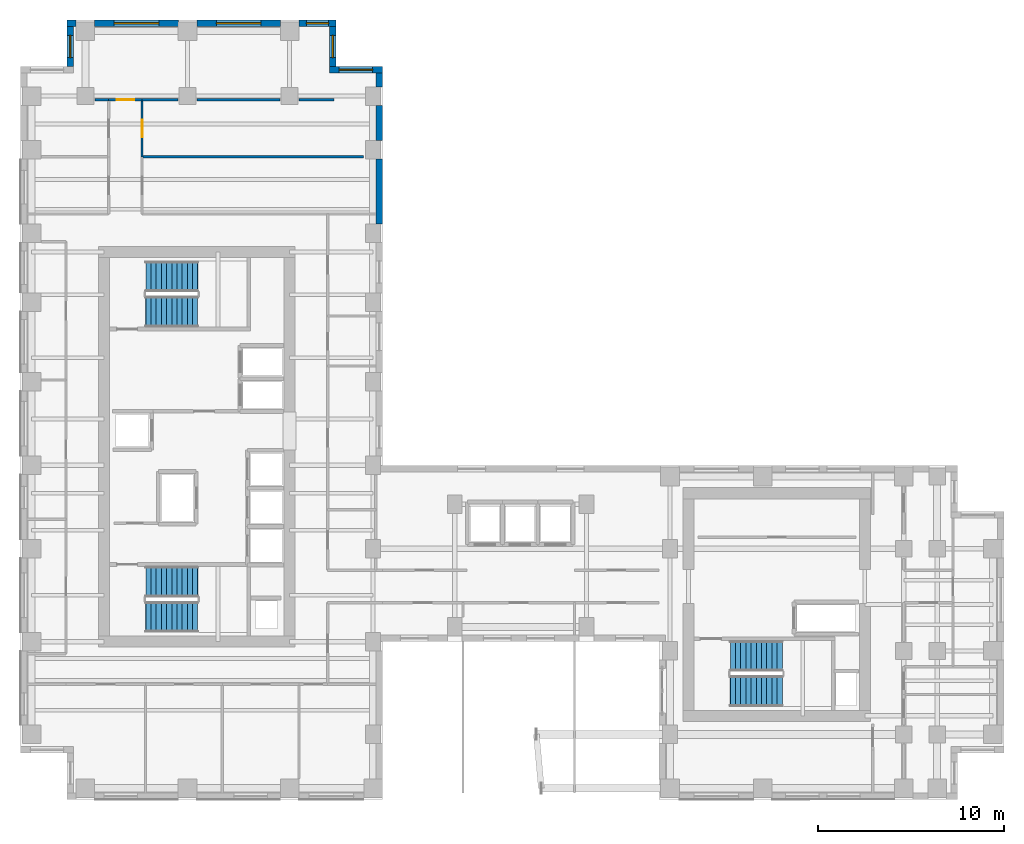
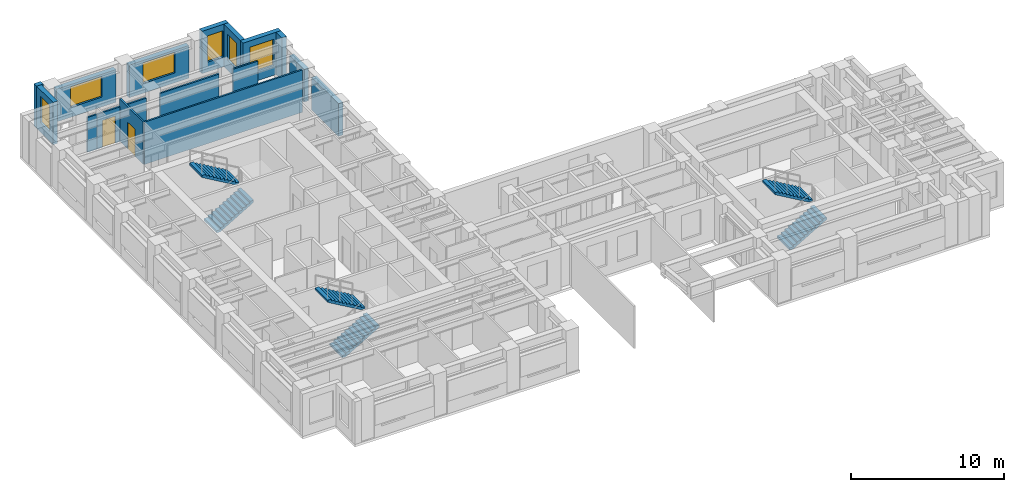
# One storey, part 11 of 13: 17 walls, 6 stair flights, 6 windows, 2 doors, 8 openings, 3 elements without a shape of their own.
"""IFC4 building model written with IfcOpenShell, lengths in metres."""

from ifc_helpers import new_model, si_unit, direction, frame, frame_2d, origin, place, context, subcontext, project, spatial, polyline, rectangle, outline, extrude, source, transform, mapped, material, layer, layer_set, type_object, element, fill, aggregate, save


model = new_model("IFC4")

# Units and contexts
model_context = context("Model", 3, precision=1e-05, world=origin(), true_north=direction((0.0, 1.0)))
body_context = subcontext(model_context, "Body", "Model", "MODEL_VIEW")
ifc_project = project(units=[si_unit("LENGTHUNIT", "METRE"), si_unit("AREAUNIT", "SQUARE_METRE"), si_unit("VOLUMEUNIT", "CUBIC_METRE"), si_unit("PLANEANGLEUNIT", "RADIAN"), si_unit("MASSUNIT", "GRAM", prefix="KILO")], contexts=[model_context])

# Site, building, storey
site_placement = place(None, origin())
site = spatial("IfcSite", under=ifc_project, at=site_placement, CompositionType="ELEMENT")
building_placement = place(site_placement, origin())
building = spatial("IfcBuilding", under=site, at=building_placement, Name="Kharzan Plaza Tower", CompositionType="ELEMENT")
storey_placement = place(building_placement, frame((0.0, 0.0, 189.89990234375)))
storey = spatial("IfcBuildingStorey", under=building, at=storey_placement, Name="L51", CompositionType="ELEMENT", Elevation=189.89990234375)

# Wall, opening, window
ifc_material_1 = material(Name="Concrete C40/50", Category="concrete")
ifc_layer_1 = layer(ifc_material_1, 0.35009765625)
ifc_layer_set_1 = layer_set([ifc_layer_1], Name="Concrete C40/50")
wall_type_1 = type_object("IfcWallType", Name="WL-EXT-MAS-Z3", PredefinedType="SOLIDWALL", material=ifc_layer_set_1)
wall_1_placement = place(storey_placement, frame((19.5, 39.324951171875, 0.0), z_axis=(0.0, 0.0, 1.0), x_axis=(-1.0, 0.0, 0.0)))
wall_1 = element("IfcWall", 1, at=wall_1_placement, inside=storey, type_object=wall_type_1, Name="L51 Masonry-Frame Exterior Wall 01", PredefinedType="SOLIDWALL", context=body_context, shape_type="SweptSolid", body=[
    extrude(rectangle(XDim=2.85009765625, YDim=0.35009765625, at=frame_2d((1.425048828125, 0.0))), origin(), (0.0, 0.0, 1.0), 3.385009765625),
])
opening_1_placement = place(wall_1_placement, frame((0.52490234375, 0.0, 0.780029296875)))
opening_1 = element("IfcOpeningElement", 2, at=opening_1_placement, cuts=wall_1, Name="Opening W1", PredefinedType="OPENING", context=body_context, shape_type="SweptSolid", body=[
    extrude(rectangle(XDim=1.800048828125, YDim=2.10009765625, at=frame_2d((0.89990234375, 1.050048828125))), frame((0.0, 0.18505859375, 0.0), z_axis=(0.0, -1.0, 0.0), x_axis=(1.0, 0.0, 0.0)), (0.0, 0.0, 1.0), 0.3701171875),
])
ifc_material_2 = material(Name="Low-E Double Glazing", Category="glass")
window_type_1 = type_object("IfcWindowType", Name="WN-REC-1800x2100", PartitioningType="SINGLE_PANEL", PredefinedType="WINDOW", material=ifc_material_2)
shared_shape_1 = source(origin(), body_context, "Body", "SweptSolid", [
    extrude(rectangle(XDim=1.800048828125, YDim=2.10009765625, at=frame_2d((0.89990234375, 1.050048828125))), frame((0.0, 0.030029296875, 0.0), z_axis=(0.0, -1.0, 0.0), x_axis=(1.0, 0.0, 0.0)), (0.0, 0.0, 1.0), 0.06005859375),
])
window_1_placement = place(opening_1_placement, origin())
window_1 = element("IfcWindow", 3, at=window_1_placement, inside=storey, type_object=window_type_1, Name="L51 Recessed Solar-Control Window 01-1", OverallHeight=2.10009765625, OverallWidth=1.800048828125, PartitioningType="SINGLE_PANEL", PredefinedType="WINDOW", context=body_context, shape_type="MappedRepresentation", body=[
    mapped(shared_shape_1, transform((0.0, 0.0, 0.0), x_axis=(1.0, 0.0, 0.0), y_axis=(0.0, 1.0, 0.0), z_axis=(0.0, 0.0, 1.0))),
])
fill(opening_1, window_1)

wall_2_placement = place(storey_placement, frame((16.824951171875, 39.498046875, 0.0), z_axis=(0.0, 0.0, 1.0), x_axis=(0.0, 1.0, 0.0)))
wall_2 = element("IfcWall", 4, at=wall_2_placement, inside=storey, type_object=wall_type_1, Name="L51 Masonry-Frame Exterior Wall 02", PredefinedType="SOLIDWALL", context=body_context, shape_type="SweptSolid", body=[
    extrude(rectangle(XDim=2.154052734375, YDim=0.35009765625, at=frame_2d((1.0771484375, 0.0))), origin(), (0.0, 0.0, 1.0), 3.385009765625),
])
opening_2_placement = place(wall_2_placement, frame((0.47705078125, 0.0, 0.780029296875)))
opening_2 = element("IfcOpeningElement", 5, at=opening_2_placement, cuts=wall_2, Name="Opening W3", PredefinedType="OPENING", context=body_context, shape_type="SweptSolid", body=[
    extrude(rectangle(XDim=1.199951171875, YDim=2.10009765625, at=frame_2d((0.60009765625, 1.050048828125))), frame((0.0, 0.18505859375, 0.0), z_axis=(0.0, -1.0, 0.0), x_axis=(1.0, 0.0, 0.0)), (0.0, 0.0, 1.0), 0.3701171875),
])
window_type_2 = type_object("IfcWindowType", Name="WN-REC-1200x2100", PartitioningType="SINGLE_PANEL", PredefinedType="WINDOW", material=ifc_material_2)
shared_shape_2 = source(origin(), body_context, "Body", "SweptSolid", [
    extrude(rectangle(XDim=1.199951171875, YDim=2.10009765625, at=frame_2d((0.60009765625, 1.050048828125))), frame((0.0, 0.030029296875, 0.0), z_axis=(0.0, -1.0, 0.0), x_axis=(1.0, 0.0, 0.0)), (0.0, 0.0, 1.0), 0.06005859375),
])
window_2_placement = place(opening_2_placement, origin())
window_2 = element("IfcWindow", 6, at=window_2_placement, inside=storey, type_object=window_type_2, Name="L51 Recessed Solar-Control Window 02-1", OverallHeight=2.10009765625, OverallWidth=1.199951171875, PartitioningType="SINGLE_PANEL", PredefinedType="WINDOW", context=body_context, shape_type="MappedRepresentation", body=[
    mapped(shared_shape_2, transform((0.0, 0.0, 0.0), x_axis=(1.0, 0.0, 0.0), y_axis=(0.0, 1.0, 0.0), z_axis=(0.0, 0.0, 1.0))),
])
fill(opening_2, window_2)

wall_3_placement = place(storey_placement, frame((17.0, 41.824951171875, 0.0), z_axis=(0.0, 0.0, 1.0), x_axis=(-1.0, 0.0, 0.0)))
wall_3 = element("IfcWall", 7, at=wall_3_placement, inside=storey, type_object=wall_type_1, Name="L51 Masonry-Frame Exterior Wall 03", PredefinedType="SOLIDWALL", context=body_context, shape_type="SweptSolid", body=[
    extrude(rectangle(XDim=2.001953125, YDim=0.35009765625, at=frame_2d((1.0009765625, 0.0))), origin(), (0.0, 0.0, 1.0), 3.385009765625),
])
opening_3_placement = place(wall_3_placement, frame((0.40087890625, 0.0, 0.780029296875)))
opening_3 = element("IfcOpeningElement", 8, at=opening_3_placement, cuts=wall_3, Name="Opening W3", PredefinedType="OPENING", context=body_context, shape_type="SweptSolid", body=[
    extrude(rectangle(XDim=1.199951171875, YDim=2.10009765625, at=frame_2d((0.60009765625, 1.050048828125))), frame((0.0, 0.18505859375, 0.0), z_axis=(0.0, -1.0, 0.0), x_axis=(1.0, 0.0, 0.0)), (0.0, 0.0, 1.0), 0.3701171875),
])
window_3_placement = place(opening_3_placement, origin())
window_3 = element("IfcWindow", 9, at=window_3_placement, inside=storey, type_object=window_type_2, Name="L51 Recessed Solar-Control Window 03-1", OverallHeight=2.10009765625, OverallWidth=1.199951171875, PartitioningType="SINGLE_PANEL", PredefinedType="WINDOW", context=body_context, shape_type="MappedRepresentation", body=[
    mapped(shared_shape_2, transform((0.0, 0.0, 0.0), x_axis=(1.0, 0.0, 0.0), y_axis=(0.0, 1.0, 0.0), z_axis=(0.0, 0.0, 1.0))),
])
fill(opening_3, window_3)

wall_4_placement = place(storey_placement, frame((14.001953125, 41.824951171875, 0.0), z_axis=(0.0, 0.0, 1.0), x_axis=(-1.0, 0.0, 0.0)))
wall_4 = element("IfcWall", 10, at=wall_4_placement, inside=storey, type_object=wall_type_1, Name="L51 Masonry-Frame Exterior Wall 04", PredefinedType="SOLIDWALL", context=body_context, shape_type="SweptSolid", body=[
    extrude(rectangle(XDim=4.50390625, YDim=0.35009765625, at=frame_2d((2.251953125, 0.0))), origin(), (0.0, 0.0, 1.0), 2.612060546875),
])
opening_4_placement = place(wall_4_placement, frame((1.052001953125, 0.0, 0.780029296875)))
opening_4 = element("IfcOpeningElement", 11, at=opening_4_placement, cuts=wall_4, Name="Opening W2", PredefinedType="OPENING", context=body_context, shape_type="SweptSolid", body=[
    extrude(rectangle(XDim=2.39990234375, YDim=1.652099609375, at=frame_2d((1.199951171875, 0.826171875))), frame((0.0, 0.18505859375, 0.0), z_axis=(0.0, -1.0, 0.0), x_axis=(1.0, 0.0, 0.0)), (0.0, 0.0, 1.0), 0.3701171875),
])
window_type_3 = type_object("IfcWindowType", Name="WN-REC-2400x2100", PartitioningType="SINGLE_PANEL", PredefinedType="WINDOW", material=ifc_material_2)
shared_shape_3 = source(origin(), body_context, "Body", "SweptSolid", [
    extrude(rectangle(XDim=2.39990234375, YDim=1.652099609375, at=frame_2d((1.199951171875, 0.826171875))), frame((0.0, 0.030029296875, 0.0), z_axis=(0.0, -1.0, 0.0), x_axis=(1.0, 0.0, 0.0)), (0.0, 0.0, 1.0), 0.06005859375),
])
window_4_placement = place(opening_4_placement, origin())
window_4 = element("IfcWindow", 12, at=window_4_placement, inside=storey, type_object=window_type_3, Name="L51 Wide Recessed Solar-Control Window 04-1", OverallHeight=1.652099609375, OverallWidth=2.39990234375, PartitioningType="SINGLE_PANEL", PredefinedType="WINDOW", context=body_context, shape_type="MappedRepresentation", body=[
    mapped(shared_shape_3, transform((0.0, 0.0, 0.0), x_axis=(1.0, 0.0, 0.0), y_axis=(0.0, 1.0, 0.0), z_axis=(0.0, 0.0, 1.0))),
])
fill(opening_4, window_4)

wall_5_placement = place(storey_placement, frame((8.501953125, 41.824951171875, 0.0), z_axis=(0.0, 0.0, 1.0), x_axis=(-1.0, 0.0, 0.0)))
wall_5 = element("IfcWall", 13, at=wall_5_placement, inside=storey, type_object=wall_type_1, Name="L51 Masonry-Frame Exterior Wall 05", PredefinedType="SOLIDWALL", context=body_context, shape_type="SweptSolid", body=[
    extrude(rectangle(XDim=4.50390625, YDim=0.35009765625, at=frame_2d((2.251953125, 0.0))), origin(), (0.0, 0.0, 1.0), 2.612060546875),
])
opening_5_placement = place(wall_5_placement, frame((1.052001953125, 0.0, 0.780029296875)))
opening_5 = element("IfcOpeningElement", 14, at=opening_5_placement, cuts=wall_5, Name="Opening W2", PredefinedType="OPENING", context=body_context, shape_type="SweptSolid", body=[
    extrude(rectangle(XDim=2.39990234375, YDim=1.652099609375, at=frame_2d((1.199951171875, 0.826171875))), frame((0.0, 0.18505859375, 0.0), z_axis=(0.0, -1.0, 0.0), x_axis=(1.0, 0.0, 0.0)), (0.0, 0.0, 1.0), 0.3701171875),
])
window_5_placement = place(opening_5_placement, origin())
window_5 = element("IfcWindow", 15, at=window_5_placement, inside=storey, type_object=window_type_3, Name="L51 Wide Recessed Solar-Control Window 05-1", OverallHeight=1.652099609375, OverallWidth=2.39990234375, PartitioningType="SINGLE_PANEL", PredefinedType="WINDOW", context=body_context, shape_type="MappedRepresentation", body=[
    mapped(shared_shape_3, transform((0.0, 0.0, 0.0), x_axis=(1.0, 0.0, 0.0), y_axis=(0.0, 1.0, 0.0), z_axis=(0.0, 0.0, 1.0))),
])
fill(opening_5, window_5)

wall_6_placement = place(storey_placement, frame((2.675048828125, 41.652099609375, 0.0), z_axis=(0.0, 0.0, 1.0), x_axis=(0.0, -1.0, 0.0)))
wall_6 = element("IfcWall", 16, at=wall_6_placement, inside=storey, type_object=wall_type_1, Name="L51 Masonry-Frame Exterior Wall 07", PredefinedType="SOLIDWALL", context=body_context, shape_type="SweptSolid", body=[
    extrude(rectangle(XDim=2.154052734375, YDim=0.35009765625, at=frame_2d((1.0771484375, 0.0))), origin(), (0.0, 0.0, 1.0), 3.385009765625),
])
opening_6_placement = place(wall_6_placement, frame((0.47705078125, 0.0, 0.780029296875)))
opening_6 = element("IfcOpeningElement", 17, at=opening_6_placement, cuts=wall_6, Name="Opening W3", PredefinedType="OPENING", context=body_context, shape_type="SweptSolid", body=[
    extrude(rectangle(XDim=1.199951171875, YDim=2.10009765625, at=frame_2d((0.60009765625, 1.050048828125))), frame((0.0, 0.18505859375, 0.0), z_axis=(0.0, -1.0, 0.0), x_axis=(1.0, 0.0, 0.0)), (0.0, 0.0, 1.0), 0.3701171875),
])
window_6_placement = place(opening_6_placement, origin())
window_6 = element("IfcWindow", 18, at=window_6_placement, inside=storey, type_object=window_type_2, Name="L51 Recessed Solar-Control Window 07-1", OverallHeight=2.10009765625, OverallWidth=1.199951171875, PartitioningType="SINGLE_PANEL", PredefinedType="WINDOW", context=body_context, shape_type="MappedRepresentation", body=[
    mapped(shared_shape_2, transform((0.0, 0.0, 0.0), x_axis=(1.0, 0.0, 0.0), y_axis=(0.0, 1.0, 0.0), z_axis=(0.0, 0.0, 1.0))),
])
fill(opening_6, window_6)

# Wall, opening, door
ifc_material_3 = material(Name="Fire-Rated Gypsum Board Partition", Category="gypsum")
ifc_layer_2 = layer(ifc_material_3, 0.125)
ifc_layer_set_2 = layer_set([ifc_layer_2], Name="Fire-Rated Gypsum Board Partition")
wall_type_2 = type_object("IfcWallType", Name="WL-INT-PART-125", PredefinedType="PARTITIONING", material=ifc_layer_set_2)
wall_7_placement = place(storey_placement, frame((6.550048828125, 34.625, 0.0), z_axis=(0.0, 0.0, 1.0), x_axis=(0.0, 1.0, 0.0)))
wall_7 = element("IfcWall", 19, at=wall_7_placement, inside=storey, type_object=wall_type_2, Name="L51 Interior Partition SH-SPE-2", PredefinedType="PARTITIONING", context=body_context, shape_type="SweptSolid", body=[
    extrude(rectangle(XDim=3.074951171875, YDim=0.125, at=frame_2d((1.53759765625, 0.0))), origin(), (0.0, 0.0, 1.0), 3.385009765625),
])
opening_7_placement = place(wall_7_placement, frame((1.0625, 0.0, 0.0)))
opening_7 = element("IfcOpeningElement", 20, at=opening_7_placement, cuts=wall_7, Name="Opening OD1", PredefinedType="OPENING", context=body_context, shape_type="SweptSolid", body=[
    extrude(rectangle(XDim=0.949951171875, YDim=2.14990234375, at=frame_2d((0.47509765625, 1.074951171875))), frame((0.0, 0.072509765625, 0.0), z_axis=(0.0, -1.0, 0.0), x_axis=(1.0, 0.0, 0.0)), (0.0, 0.0, 1.0), 0.14501953125),
])
ifc_material_4 = material(Name="Acoustic Solid-Core Stained Oak", Category="timber")
door_type = type_object("IfcDoorType", Name="DR-OFF-SINGLE", OperationType="NOTDEFINED", PredefinedType="DOOR", material=ifc_material_4)
shared_shape_4 = source(origin(), body_context, "Body", "SweptSolid", [
    extrude(rectangle(XDim=0.949951171875, YDim=2.14990234375, at=frame_2d((0.47509765625, 1.074951171875))), frame((0.0, 0.02490234375, 0.0), z_axis=(0.0, -1.0, 0.0), x_axis=(1.0, 0.0, 0.0)), (0.0, 0.0, 1.0), 0.050048828125),
])
door_1_placement = place(opening_7_placement, origin())
door_1 = element("IfcDoor", 21, at=door_1_placement, inside=storey, type_object=door_type, Name="L51 Departmental Office Door", OperationType="SINGLE_SWING_RIGHT", OverallHeight=2.14990234375, OverallWidth=0.949951171875, PredefinedType="DOOR", context=body_context, shape_type="MappedRepresentation", body=[
    mapped(shared_shape_4, transform((0.0, 0.0, 0.0), x_axis=(1.0, 0.0, 0.0), y_axis=(0.0, 1.0, 0.0), z_axis=(0.0, 0.0, 1.0))),
])
fill(opening_7, door_1)

wall_8_placement = place(storey_placement, frame((4.75, 37.699951171875, 0.0), z_axis=(0.0, 0.0, 1.0), x_axis=(1.0, 0.0, 0.0)))
wall_8 = element("IfcWall", 22, at=wall_8_placement, inside=storey, type_object=wall_type_2, Name="L51 Interior Partition SH-SPHD", PredefinedType="PARTITIONING", context=body_context, shape_type="SweptSolid", body=[
    extrude(rectangle(XDim=1.800048828125, YDim=0.125, at=frame_2d((0.89990234375, 0.0))), origin(), (0.0, 0.0, 1.0), 2.773193359375),
])
opening_8_placement = place(wall_8_placement, frame((0.425048828125, 0.0, 0.0)))
opening_8 = element("IfcOpeningElement", 23, at=opening_8_placement, cuts=wall_8, Name="Opening OD1", PredefinedType="OPENING", context=body_context, shape_type="SweptSolid", body=[
    extrude(rectangle(XDim=0.949951171875, YDim=2.14990234375, at=frame_2d((0.47509765625, 1.074951171875))), frame((0.0, 0.072509765625, 0.0), z_axis=(0.0, -1.0, 0.0), x_axis=(1.0, 0.0, 0.0)), (0.0, 0.0, 1.0), 0.14501953125),
])
door_2_placement = place(opening_8_placement, origin())
door_2 = element("IfcDoor", 24, at=door_2_placement, inside=storey, type_object=door_type, Name="L51 North Boardroom Door", OperationType="SINGLE_SWING_LEFT", OverallHeight=2.14990234375, OverallWidth=0.949951171875, PredefinedType="DOOR", context=body_context, shape_type="MappedRepresentation", body=[
    mapped(shared_shape_4, transform((0.0, 0.0, 0.0), x_axis=(1.0, 0.0, 0.0), y_axis=(0.0, 1.0, 0.0), z_axis=(0.0, 0.0, 1.0))),
])
fill(opening_8, door_2)

# Walls
shared_shape_5 = source(origin(), body_context, "Body", "SweptSolid", [
    extrude(rectangle(XDim=0.501953125, YDim=0.35009765625, at=frame_2d((0.2509765625, 0.0))), origin(), (0.0, 0.0, 1.0), 3.385009765625),
])
wall_9_placement = place(storey_placement, frame((3.001953125, 41.824951171875, 0.0), z_axis=(0.0, 0.0, 1.0), x_axis=(-1.0, 0.0, 0.0)))
element("IfcWall", 25, at=wall_9_placement, inside=storey, type_object=wall_type_1, Name="L51 Masonry-Frame Exterior Wall 06", PredefinedType="SOLIDWALL", context=body_context, shape_type="MappedRepresentation", body=[
    mapped(shared_shape_5, transform((0.0, 0.0, 0.0), x_axis=(1.0, 0.0, 0.0), y_axis=(0.0, 1.0, 0.0), z_axis=(0.0, 0.0, 1.0))),
])
shared_shape_6 = source(origin(), body_context, "Body", "SweptSolid", [
    extrude(rectangle(XDim=0.754150390625, YDim=0.35009765625, at=frame_2d((0.376953125, 0.0))), origin(), (0.0, 0.0, 1.0), 3.385009765625),
])
wall_10_placement = place(storey_placement, frame((19.324951171875, 38.39794921875, 0.0), z_axis=(0.0, 0.0, 1.0), x_axis=(0.0, 1.0, 0.0)))
element("IfcWall", 26, at=wall_10_placement, inside=storey, type_object=wall_type_1, Name="L51 Masonry-Frame Exterior Wall 53", PredefinedType="SOLIDWALL", context=body_context, shape_type="MappedRepresentation", body=[
    mapped(shared_shape_6, transform((0.0, 0.0, 0.0), x_axis=(1.0, 0.0, 0.0), y_axis=(0.0, 1.0, 0.0), z_axis=(0.0, 0.0, 1.0))),
])
shared_shape_7 = source(origin(), body_context, "Body", "SweptSolid", [
    extrude(rectangle(XDim=11.929931640625, YDim=0.125, at=frame_2d((5.96484375, 0.0))), origin(), (0.0, 0.0, 1.0), 3.385009765625),
])
wall_11_placement = place(storey_placement, frame((6.550048828125, 34.625, 0.0), z_axis=(0.0, 0.0, 1.0), x_axis=(1.0, 0.0, 0.0)))
element("IfcWall", 27, at=wall_11_placement, inside=storey, type_object=wall_type_2, Name="L51 Interior Partition SH-NEH-1", PredefinedType="PARTITIONING", context=body_context, shape_type="MappedRepresentation", body=[
    mapped(shared_shape_7, transform((0.0, 0.0, 0.0), x_axis=(1.0, 0.0, 0.0), y_axis=(0.0, 1.0, 0.0), z_axis=(0.0, 0.0, 1.0))),
])
shared_shape_8 = source(origin(), body_context, "Body", "SweptSolid", [
    extrude(rectangle(XDim=1.904052734375, YDim=0.35009765625, at=frame_2d((0.9521484375, 0.0))), origin(), (0.0, 0.0, 1.0), 2.612060546875),
])
wall_12_placement = place(storey_placement, frame((19.324951171875, 35.498046875, 0.0), z_axis=(0.0, 0.0, 1.0), x_axis=(0.0, 1.0, 0.0)))
element("IfcWall", 28, at=wall_12_placement, inside=storey, type_object=wall_type_1, Name="L51 Masonry-Frame Exterior Wall 52", PredefinedType="SOLIDWALL", context=body_context, shape_type="MappedRepresentation", body=[
    mapped(shared_shape_8, transform((0.0, 0.0, 0.0), x_axis=(1.0, 0.0, 0.0), y_axis=(0.0, 1.0, 0.0), z_axis=(0.0, 0.0, 1.0))),
])
shared_shape_9 = source(origin(), body_context, "Body", "SweptSolid", [
    extrude(rectangle(XDim=3.50390625, YDim=0.35009765625, at=frame_2d((1.751953125, 0.0))), origin(), (0.0, 0.0, 1.0), 2.612060546875),
])
wall_13_placement = place(storey_placement, frame((19.324951171875, 30.998046875, 0.0), z_axis=(0.0, 0.0, 1.0), x_axis=(0.0, 1.0, 0.0)))
element("IfcWall", 29, at=wall_13_placement, inside=storey, type_object=wall_type_1, Name="L51 Masonry-Frame Exterior Wall 51", PredefinedType="SOLIDWALL", context=body_context, shape_type="MappedRepresentation", body=[
    mapped(shared_shape_9, transform((0.0, 0.0, 0.0), x_axis=(1.0, 0.0, 0.0), y_axis=(0.0, 1.0, 0.0), z_axis=(0.0, 0.0, 1.0))),
])
shared_shape_10 = source(origin(), body_context, "Body", "SweptSolid", [
    extrude(rectangle(XDim=1.929931640625, YDim=0.125, at=frame_2d((0.96484375, 0.0))), origin(), (0.0, 0.0, 1.0), 2.773193359375),
])
wall_14_placement = place(storey_placement, frame((6.550048828125, 37.699951171875, 0.0), z_axis=(0.0, 0.0, 1.0), x_axis=(1.0, 0.0, 0.0)))
element("IfcWall", 30, at=wall_14_placement, inside=storey, type_object=wall_type_2, Name="L51 Interior Partition SH-SPHE-S1", PredefinedType="PARTITIONING", context=body_context, shape_type="MappedRepresentation", body=[
    mapped(shared_shape_10, transform((0.0, 0.0, 0.0), x_axis=(1.0, 0.0, 0.0), y_axis=(0.0, 1.0, 0.0), z_axis=(0.0, 0.0, 1.0))),
])
shared_shape_11 = source(origin(), body_context, "Body", "SweptSolid", [
    extrude(rectangle(XDim=4.4599609375, YDim=0.125, at=frame_2d((2.22998046875, 0.0))), origin(), (0.0, 0.0, 1.0), 2.773193359375),
])
wall_15_placement = place(storey_placement, frame((9.52001953125, 37.699951171875, 0.0), z_axis=(0.0, 0.0, 1.0), x_axis=(1.0, 0.0, 0.0)))
element("IfcWall", 31, at=wall_15_placement, inside=storey, type_object=wall_type_2, Name="L51 Interior Partition SH-SPHE-S2", PredefinedType="PARTITIONING", context=body_context, shape_type="MappedRepresentation", body=[
    mapped(shared_shape_11, transform((0.0, 0.0, 0.0), x_axis=(1.0, 0.0, 0.0), y_axis=(0.0, 1.0, 0.0), z_axis=(0.0, 0.0, 1.0))),
])
shared_shape_12 = source(origin(), body_context, "Body", "SweptSolid", [
    extrude(rectangle(XDim=1.8798828125, YDim=0.125, at=frame_2d((0.93994140625, 0.0))), origin(), (0.0, 0.0, 1.0), 2.773193359375),
])
wall_16_placement = place(storey_placement, frame((15.02001953125, 37.699951171875, 0.0), z_axis=(0.0, 0.0, 1.0), x_axis=(1.0, 0.0, 0.0)))
element("IfcWall", 32, at=wall_16_placement, inside=storey, type_object=wall_type_2, Name="L51 Interior Partition SH-SPHE-S3", PredefinedType="PARTITIONING", context=body_context, shape_type="MappedRepresentation", body=[
    mapped(shared_shape_12, transform((0.0, 0.0, 0.0), x_axis=(1.0, 0.0, 0.0), y_axis=(0.0, 1.0, 0.0), z_axis=(0.0, 0.0, 1.0))),
])
shared_shape_13 = source(origin(), body_context, "Body", "SweptSolid", [
    extrude(rectangle(XDim=0.72998046875, YDim=0.125, at=frame_2d((0.364990234375, 0.0))), origin(), (0.0, 0.0, 1.0), 2.773193359375),
])
wall_17_placement = place(storey_placement, frame((4.02001953125, 37.699951171875, 0.0), z_axis=(0.0, 0.0, 1.0), x_axis=(1.0, 0.0, 0.0)))
element("IfcWall", 33, at=wall_17_placement, inside=storey, type_object=wall_type_2, Name="L51 Interior Partition SH-SPHW", PredefinedType="PARTITIONING", context=body_context, shape_type="MappedRepresentation", body=[
    mapped(shared_shape_13, transform((0.0, 0.0, 0.0), x_axis=(1.0, 0.0, 0.0), y_axis=(0.0, 1.0, 0.0), z_axis=(0.0, 0.0, 1.0))),
])

# Stair, stair flights
stair_type_1 = type_object("IfcStairType", Name="STR-ST-1", PredefinedType="HALF_TURN_STAIR", material=ifc_material_1)
stair_1_placement = place(storey_placement, origin())
stair_1 = element("IfcStair", 34, at=stair_1_placement, inside=storey, type_object=stair_type_1, Name="L51 Protected Exit Stair ST-1", PredefinedType="HALF_TURN_STAIR")
stair_flight_type = type_object("IfcStairFlightType", Name="SFL-1650-R173", PredefinedType="STRAIGHT", material=ifc_material_1)
shared_shape_14 = source(origin(), body_context, "Body", "SweptSolid", [
    extrude(outline(polyline([(-0.0029296875, -0.011962890625), (-0.0029296875, 0.0), (0.0, 0.0), (0.0, 0.16357421875), (0.280029296875, 0.16357421875), (0.280029296875, 0.3271484375), (0.56005859375, 0.3271484375), (0.56005859375, 0.49072265625), (0.840087890625, 0.49072265625), (0.840087890625, 0.654296875), (1.1201171875, 0.654296875), (1.1201171875, 0.81787109375), (1.400146484375, 0.81787109375), (1.400146484375, 0.9814453125), (1.68017578125, 0.9814453125), (1.68017578125, 1.14501953125), (1.960205078125, 1.14501953125), (1.960205078125, 1.30859375), (2.240234375, 1.30859375), (2.240234375, 1.47216796875), (2.520263671875, 1.47216796875), (2.520263671875, 1.6357421875), (2.80029296875, 1.6357421875), (2.80029296875, 1.79931640625), (2.80029296875, 1.462158203125), (0.297119140625, 0.0), (0.297119140625, -0.011962890625), (-0.0029296875, -0.011962890625)])), frame((0.0, 0.824951171875, 0.0), z_axis=(0.0, -1.0, 0.0), x_axis=(1.0, 0.0, 0.0)), (0.0, 0.0, 1.0), 1.64990234375),
])
stair_flight_1_placement = place(storey_placement, frame((6.75, 9.824951171875, 0.0), z_axis=(0.0, 0.0, 1.0), x_axis=(1.0, 0.0, 0.0)))
stair_flight_1 = element("IfcStairFlight", 35, at=stair_flight_1_placement, type_object=stair_flight_type, Name="ST-1 flight 1", NumberOfRisers=11, NumberOfTreads=10, PredefinedType="STRAIGHT", RiserHeight=0.163636364, TreadLength=0.28, context=body_context, shape_type="MappedRepresentation", body=[
    mapped(shared_shape_14, transform((0.0, 0.0, 0.0), x_axis=(1.0, 0.0, 0.0), y_axis=(0.0, 1.0, 0.0), z_axis=(0.0, 0.0, 1.0))),
])
stair_flight_2_placement = place(storey_placement, frame((9.550048828125, 11.72509765625, 1.800048828125), z_axis=(0.0, 0.0, 1.0), x_axis=(-1.0, 0.0, 0.0)))
stair_flight_2 = element("IfcStairFlight", 36, at=stair_flight_2_placement, type_object=stair_flight_type, Name="ST-1 flight 2", NumberOfRisers=11, NumberOfTreads=10, PredefinedType="STRAIGHT", RiserHeight=0.163636364, TreadLength=0.28, context=body_context, shape_type="MappedRepresentation", body=[
    mapped(shared_shape_14, transform((0.0, 0.0, 0.0), x_axis=(1.0, 0.0, 0.0), y_axis=(0.0, 1.0, 0.0), z_axis=(0.0, 0.0, 1.0))),
])
aggregate(stair_1, [stair_flight_1, stair_flight_2])

stair_type_2 = type_object("IfcStairType", Name="STR-ST-2", PredefinedType="HALF_TURN_STAIR", material=ifc_material_1)
stair_2_placement = place(storey_placement, origin())
stair_2 = element("IfcStair", 37, at=stair_2_placement, inside=storey, type_object=stair_type_2, Name="L51 Protected Exit Stair ST-2", PredefinedType="HALF_TURN_STAIR")
stair_flight_3_placement = place(storey_placement, frame((6.75, 26.27490234375, 0.0), z_axis=(0.0, 0.0, 1.0), x_axis=(1.0, 0.0, 0.0)))
stair_flight_3 = element("IfcStairFlight", 38, at=stair_flight_3_placement, type_object=stair_flight_type, Name="ST-2 flight 1", NumberOfRisers=11, NumberOfTreads=10, PredefinedType="STRAIGHT", RiserHeight=0.163636364, TreadLength=0.28, context=body_context, shape_type="MappedRepresentation", body=[
    mapped(shared_shape_14, transform((0.0, 0.0, 0.0), x_axis=(1.0, 0.0, 0.0), y_axis=(0.0, 1.0, 0.0), z_axis=(0.0, 0.0, 1.0))),
])
stair_flight_4_placement = place(storey_placement, frame((9.550048828125, 28.175048828125, 1.800048828125), z_axis=(0.0, 0.0, 1.0), x_axis=(-1.0, 0.0, 0.0)))
stair_flight_4 = element("IfcStairFlight", 39, at=stair_flight_4_placement, type_object=stair_flight_type, Name="ST-2 flight 2", NumberOfRisers=11, NumberOfTreads=10, PredefinedType="STRAIGHT", RiserHeight=0.163636364, TreadLength=0.28, context=body_context, shape_type="MappedRepresentation", body=[
    mapped(shared_shape_14, transform((0.0, 0.0, 0.0), x_axis=(1.0, 0.0, 0.0), y_axis=(0.0, 1.0, 0.0), z_axis=(0.0, 0.0, 1.0))),
])
aggregate(stair_2, [stair_flight_3, stair_flight_4])

stair_type_3 = type_object("IfcStairType", Name="STR-ST-3", PredefinedType="HALF_TURN_STAIR", material=ifc_material_1)
stair_3_placement = place(storey_placement, origin())
stair_3 = element("IfcStair", 40, at=stair_3_placement, inside=storey, type_object=stair_type_3, Name="L51 Protected Exit Stair ST-3", PredefinedType="HALF_TURN_STAIR")
stair_flight_5_placement = place(storey_placement, frame((38.25, 5.824951171875, 0.0), z_axis=(0.0, 0.0, 1.0), x_axis=(1.0, 0.0, 0.0)))
stair_flight_5 = element("IfcStairFlight", 41, at=stair_flight_5_placement, type_object=stair_flight_type, Name="ST-3 flight 1", NumberOfRisers=11, NumberOfTreads=10, PredefinedType="STRAIGHT", RiserHeight=0.163636364, TreadLength=0.28, context=body_context, shape_type="MappedRepresentation", body=[
    mapped(shared_shape_14, transform((0.0, 0.0, 0.0), x_axis=(1.0, 0.0, 0.0), y_axis=(0.0, 1.0, 0.0), z_axis=(0.0, 0.0, 1.0))),
])
stair_flight_6_placement = place(storey_placement, frame((41.050048828125, 7.72509765625, 1.800048828125), z_axis=(0.0, 0.0, 1.0), x_axis=(-1.0, 0.0, 0.0)))
stair_flight_6 = element("IfcStairFlight", 42, at=stair_flight_6_placement, type_object=stair_flight_type, Name="ST-3 flight 2", NumberOfRisers=11, NumberOfTreads=10, PredefinedType="STRAIGHT", RiserHeight=0.163636364, TreadLength=0.28, context=body_context, shape_type="MappedRepresentation", body=[
    mapped(shared_shape_14, transform((0.0, 0.0, 0.0), x_axis=(1.0, 0.0, 0.0), y_axis=(0.0, 1.0, 0.0), z_axis=(0.0, 0.0, 1.0))),
])
aggregate(stair_3, [stair_flight_5, stair_flight_6])

save(model, "model.ifc")
